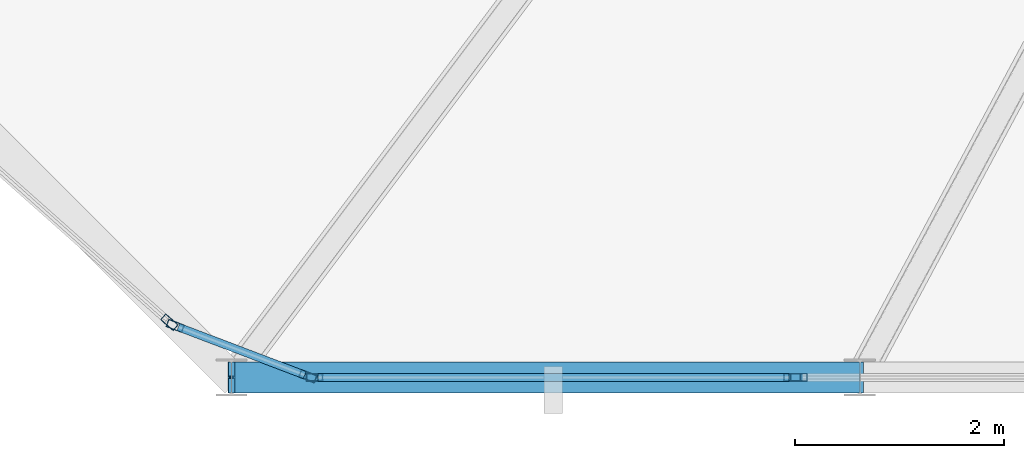
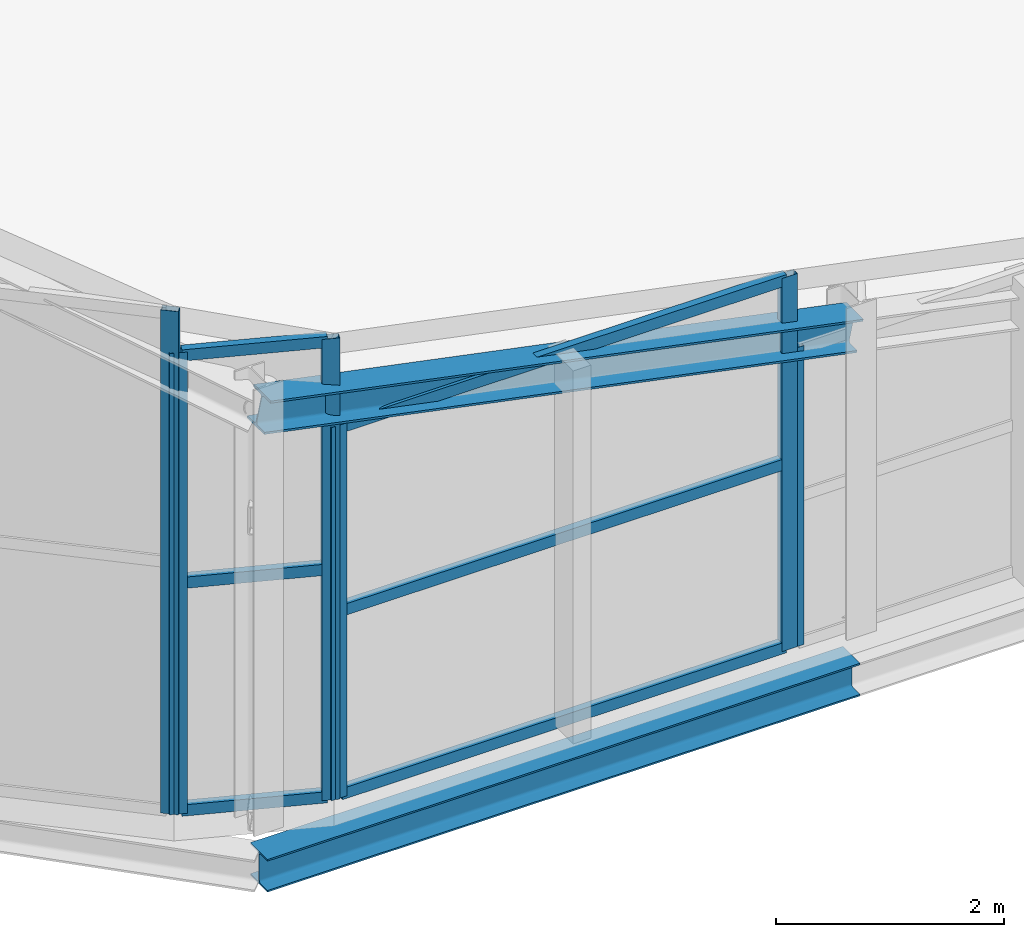
# One storey, part 8 of 74: 12 members, 2 beams, 4 elements without a shape of their own.
"""IFC4 building model written with IfcOpenShell, lengths in metres."""

from ifc_helpers import new_model, si_unit, direction, frame, origin, origin_2d, place, context, subcontext, project, spatial, hollow_rectangle, i_section, extrude, material, layer, layer_set, material_profile, profile_set, type_object, element, aggregate, save


model = new_model("IFC4")

# Units and contexts
model_context = context("Model", 3, precision=1e-05, world=origin(), true_north=direction((0.0, 1.0)))
body_context = subcontext(model_context, "Body", "Model", "MODEL_VIEW")
ifc_project = project(units=[si_unit("LENGTHUNIT", "METRE"), si_unit("AREAUNIT", "SQUARE_METRE"), si_unit("VOLUMEUNIT", "CUBIC_METRE"), si_unit("PLANEANGLEUNIT", "RADIAN"), si_unit("MASSUNIT", "GRAM", prefix="KILO")], contexts=[model_context])

# Site, building, storey
site_placement = place(None, origin())
site = spatial("IfcSite", under=ifc_project, at=site_placement, CompositionType="ELEMENT")
building_placement = place(site_placement, origin())
building = spatial("IfcBuilding", under=site, at=building_placement, Name="Keshet Zoharim Tower", CompositionType="ELEMENT")
storey_placement = place(building_placement, frame((0.0, 0.0, 320.0)))
storey = spatial("IfcBuildingStorey", under=building, at=storey_placement, Name="RF", CompositionType="ELEMENT", Elevation=320.0)

# Beams
ifc_material_1 = material(Name="Steel S355", Category="steel")
ifc_material_profile_1 = material_profile(ifc_material_1, i_section(OverallWidth=0.300048828125, OverallDepth=0.35009765625, WebThickness=0.010009765625, FlangeThickness=0.017578125, FilletRadius=0.027099609375, at=origin_2d()), Name="HEA360")
ifc_profile_set_1 = profile_set([ifc_material_profile_1], Name="Steel S355")
beam_type_1 = type_object("IfcBeamType", Name="BM-PRI-HA360", PredefinedType="BEAM", material=ifc_profile_set_1)
beam_1_placement = place(storey_placement, frame((21.0, 6.699951171875, -0.485107421875), z_axis=(1.0, 0.0, 0.0), x_axis=(0.0, 1.0, 0.0)))
element("IfcBeam", 1, at=beam_1_placement, inside=storey, type_object=beam_type_1, Name="RF Primary Girder X-001", PredefinedType="BEAM", context=body_context, shape_type="SweptSolid", body=[
    extrude(i_section(OverallWidth=0.300048828125, OverallDepth=0.35009765625, WebThickness=0.010009765625, FlangeThickness=0.017578125, FilletRadius=0.027099609375, at=origin_2d()), origin(), (0.0, 0.0, 1.0), 6.0),
])
ifc_material_profile_2 = material_profile(ifc_material_1, i_section(OverallWidth=0.300048828125, OverallDepth=0.340087890625, WebThickness=0.011962890625, FlangeThickness=0.021484375, FilletRadius=0.027099609375, at=origin_2d()), Name="HEB340")
ifc_profile_set_2 = profile_set([ifc_material_profile_2], Name="Steel S355")
beam_type_2 = type_object("IfcBeamType", Name="BM-SPN-HB340", PredefinedType="SPANDREL", material=ifc_profile_set_2)
beam_2_placement = place(storey_placement, frame((27.0, 6.699951171875, 3.193359375), z_axis=(-0.979823661837, 0.0, 0.199863932975), x_axis=(0.0, -1.0, 0.0)))
element("IfcBeam", 2, at=beam_2_placement, inside=storey, type_object=beam_type_2, Name="Crown Sloped Perimeter Ring Beam 05", PredefinedType="SPANDREL", context=body_context, shape_type="SweptSolid", body=[
    extrude(i_section(OverallWidth=0.300048828125, OverallDepth=0.340087890625, WebThickness=0.011962890625, FlangeThickness=0.021484375, FilletRadius=0.027099609375, at=origin_2d()), origin(), (0.0, 0.0, 1.0), 6.12353515625),
])

# Curtain wall, member
ifc_material_2 = material(Name="Aluminium 6063-T6", Category="aluminium")
ifc_layer = layer(ifc_material_2, 0.260009765625)
ifc_layer_set = layer_set([ifc_layer], Name="Aluminium 6063-T6")
curtain_wall_type = type_object("IfcCurtainWallType", Name="CW-SYS-06", PredefinedType="NOTDEFINED", material=ifc_layer_set)
curtain_wall_1_placement = place(storey_placement, origin())
curtain_wall_1 = element("IfcCurtainWall", 3, at=curtain_wall_1_placement, inside=storey, type_object=curtain_wall_type, Name="Slanted Crown Curtain Wall 30", PredefinedType="NOTDEFINED")
ifc_material_profile_3 = material_profile(ifc_material_2, hollow_rectangle(XDim=0.074951171875, YDim=0.159912109375, WallThickness=0.00390625, at=origin_2d()), Name="MUL-75x160")
ifc_profile_set_3 = profile_set([ifc_material_profile_3], Name="Aluminium 6063-T6")
member_type_1 = type_object("IfcMemberType", Name="CWM-M15", PredefinedType="MULLION", material=ifc_profile_set_3)
member_1_placement = place(storey_placement, frame((26.41845703125, 6.699951171875, 0.0), z_axis=(0.0, 0.0, 1.0), x_axis=(0.0, -1.0, 0.0)))
member_1 = element("IfcMember", 4, at=member_1_placement, type_object=member_type_1, Name="CW-06 mullion 2", PredefinedType="MULLION", context=body_context, shape_type="SweptSolid", body=[
    extrude(hollow_rectangle(XDim=0.074951171875, YDim=0.159912109375, WallThickness=0.00390625, at=origin_2d()), origin(), (0.0, 0.0, 1.0), 3.199951171875),
])
aggregate(curtain_wall_1, [member_1])

# Curtain wall, members
curtain_wall_2_placement = place(storey_placement, origin())
curtain_wall_2 = element("IfcCurtainWall", 5, at=curtain_wall_2_placement, inside=storey, type_object=curtain_wall_type, Name="Slanted Crown Curtain Wall 31", PredefinedType="NOTDEFINED")
member_2_placement = place(storey_placement, frame((26.353515625, 6.699951171875, 0.0), z_axis=(0.0, 0.0, 1.0), x_axis=(0.0, -1.0, 0.0)))
member_2 = element("IfcMember", 6, at=member_2_placement, type_object=member_type_1, Name="CW-06 mullion 1", PredefinedType="MULLION", context=body_context, shape_type="SweptSolid", body=[
    extrude(hollow_rectangle(XDim=0.074951171875, YDim=0.159912109375, WallThickness=0.00390625, at=origin_2d()), origin(), (0.0, 0.0, 1.0), 3.992919921875),
])
member_3_placement = place(storey_placement, frame((21.79248046875, 6.699951171875, 0.0), z_axis=(0.0, 0.0, 1.0), x_axis=(0.0, -1.0, 0.0)))
member_3 = element("IfcMember", 7, at=member_3_placement, type_object=member_type_1, Name="CW-06 mullion 2", PredefinedType="MULLION", context=body_context, shape_type="SweptSolid", body=[
    extrude(hollow_rectangle(XDim=0.074951171875, YDim=0.159912109375, WallThickness=0.00390625, at=origin_2d()), origin(), (0.0, 0.0, 1.0), 3.992919921875),
])

curtain_wall_3_placement = place(storey_placement, origin())
curtain_wall_3 = element("IfcCurtainWall", 8, at=curtain_wall_3_placement, inside=storey, type_object=curtain_wall_type, Name="Slanted Crown Curtain Wall 32", PredefinedType="NOTDEFINED")
member_4_placement = place(storey_placement, frame((21.729736328125, 6.711669921875, 0.0), z_axis=(0.0, 0.0, 1.0), x_axis=(-0.355439161326, -0.934699418314, 0.0)))
member_4 = element("IfcMember", 9, at=member_4_placement, type_object=member_type_1, Name="CW-06 mullion 1", PredefinedType="MULLION", context=body_context, shape_type="SweptSolid", body=[
    extrude(hollow_rectangle(XDim=0.074951171875, YDim=0.159912109375, WallThickness=0.00390625, at=origin_2d()), origin(), (0.0, 0.0, 1.0), 4.93701171875),
])
member_5_placement = place(storey_placement, frame((20.46240234375, 7.193359375, 0.0), z_axis=(0.0, 0.0, 1.0), x_axis=(-0.355439161326, -0.934699418314, 0.0)))
member_5 = element("IfcMember", 10, at=member_5_placement, type_object=member_type_1, Name="CW-06 mullion 2", PredefinedType="MULLION", context=body_context, shape_type="SweptSolid", body=[
    extrude(hollow_rectangle(XDim=0.074951171875, YDim=0.159912109375, WallThickness=0.00390625, at=origin_2d()), origin(), (0.0, 0.0, 1.0), 4.93701171875),
])

# Curtain wall, member
curtain_wall_4_placement = place(storey_placement, origin())
curtain_wall_4 = element("IfcCurtainWall", 11, at=curtain_wall_4_placement, inside=storey, type_object=curtain_wall_type, Name="Slanted Crown Curtain Wall 33", PredefinedType="NOTDEFINED")
member_6_placement = place(storey_placement, frame((20.40771484375, 7.2265625, 0.0), z_axis=(0.0, 0.0, 1.0), x_axis=(-0.664409105651, -0.747369079055, 0.0)))
member_6 = element("IfcMember", 12, at=member_6_placement, type_object=member_type_1, Name="CW-06 mullion 1", PredefinedType="MULLION", context=body_context, shape_type="SweptSolid", body=[
    extrude(hollow_rectangle(XDim=0.074951171875, YDim=0.159912109375, WallThickness=0.00390625, at=origin_2d()), origin(), (0.0, 0.0, 1.0), 5.386962890625),
])
aggregate(curtain_wall_4, [member_6])

# Member
ifc_material_profile_4 = material_profile(ifc_material_2, hollow_rectangle(XDim=0.074951171875, YDim=0.1201171875, WallThickness=0.00390625, at=origin_2d()), Name="TRN-75x120")
ifc_profile_set_4 = profile_set([ifc_material_profile_4], Name="Aluminium 6063-T6")
member_type_2 = type_object("IfcMemberType", Name="CWT-T12", PredefinedType="USERDEFINED", material=ifc_profile_set_4)
member_7_placement = place(storey_placement, frame((26.321044921875, 6.699951171875, 0.032470703125), z_axis=(-1.0, 0.0, 0.0), x_axis=(0.0, -1.0, 0.0)))
member_7 = element("IfcMember", 13, at=member_7_placement, type_object=member_type_2, Name="CW-06 transom 1.1", ObjectType="TRANSOM", PredefinedType="USERDEFINED", context=body_context, shape_type="SweptSolid", body=[
    extrude(hollow_rectangle(XDim=0.074951171875, YDim=0.1201171875, WallThickness=0.00390625, at=origin_2d()), origin(), (0.0, 0.0, 1.0), 4.49609375),
])

member_8_placement = place(storey_placement, frame((26.321044921875, 6.699951171875, 1.99609375), z_axis=(-1.0, 0.0, 0.0), x_axis=(0.0, -1.0, 0.0)))
member_8 = element("IfcMember", 14, at=member_8_placement, type_object=member_type_2, Name="CW-06 transom 1.2", ObjectType="TRANSOM", PredefinedType="USERDEFINED", context=body_context, shape_type="SweptSolid", body=[
    extrude(hollow_rectangle(XDim=0.074951171875, YDim=0.1201171875, WallThickness=0.00390625, at=origin_2d()), origin(), (0.0, 0.0, 1.0), 4.49609375),
])

member_9_placement = place(storey_placement, frame((26.321044921875, 6.699951171875, 3.96044921875), z_axis=(-1.0, 0.0, 0.0), x_axis=(0.0, -1.0, 0.0)))
member_9 = element("IfcMember", 15, at=member_9_placement, type_object=member_type_2, Name="CW-06 transom 1.3", ObjectType="TRANSOM", PredefinedType="USERDEFINED", context=body_context, shape_type="SweptSolid", body=[
    extrude(hollow_rectangle(XDim=0.074951171875, YDim=0.1201171875, WallThickness=0.00390625, at=origin_2d()), origin(), (0.0, 0.0, 1.0), 4.49609375),
])

aggregate(curtain_wall_2, [member_2, member_3, member_7, member_8, member_9])

member_10_placement = place(storey_placement, frame((21.69921875, 6.72314453125, 0.032470703125), z_axis=(-0.934718249164, 0.355389637835, 0.0), x_axis=(-0.355389637835, -0.934718249164, 0.0)))
member_10 = element("IfcMember", 16, at=member_10_placement, type_object=member_type_2, Name="CW-06 transom 1.1", ObjectType="TRANSOM", PredefinedType="USERDEFINED", context=body_context, shape_type="SweptSolid", body=[
    extrude(hollow_rectangle(XDim=0.074951171875, YDim=0.1201171875, WallThickness=0.00390625, at=origin_2d()), origin(), (0.0, 0.0, 1.0), 1.290771484375),
])

member_11_placement = place(storey_placement, frame((21.69921875, 6.72314453125, 2.468994140625), z_axis=(-0.934718249164, 0.355389637835, 0.0), x_axis=(-0.355389637835, -0.934718249164, 0.0)))
member_11 = element("IfcMember", 17, at=member_11_placement, type_object=member_type_2, Name="CW-06 transom 1.2", ObjectType="TRANSOM", PredefinedType="USERDEFINED", context=body_context, shape_type="SweptSolid", body=[
    extrude(hollow_rectangle(XDim=0.074951171875, YDim=0.1201171875, WallThickness=0.00390625, at=origin_2d()), origin(), (0.0, 0.0, 1.0), 1.290771484375),
])

member_12_placement = place(storey_placement, frame((21.69921875, 6.72314453125, 4.904541015625), z_axis=(-0.934718249164, 0.355389637835, 0.0), x_axis=(-0.355389637835, -0.934718249164, 0.0)))
member_12 = element("IfcMember", 18, at=member_12_placement, type_object=member_type_2, Name="CW-06 transom 1.3", ObjectType="TRANSOM", PredefinedType="USERDEFINED", context=body_context, shape_type="SweptSolid", body=[
    extrude(hollow_rectangle(XDim=0.074951171875, YDim=0.1201171875, WallThickness=0.00390625, at=origin_2d()), origin(), (0.0, 0.0, 1.0), 1.290771484375),
])

aggregate(curtain_wall_3, [member_4, member_5, member_10, member_11, member_12])

save(model, "model.ifc")
